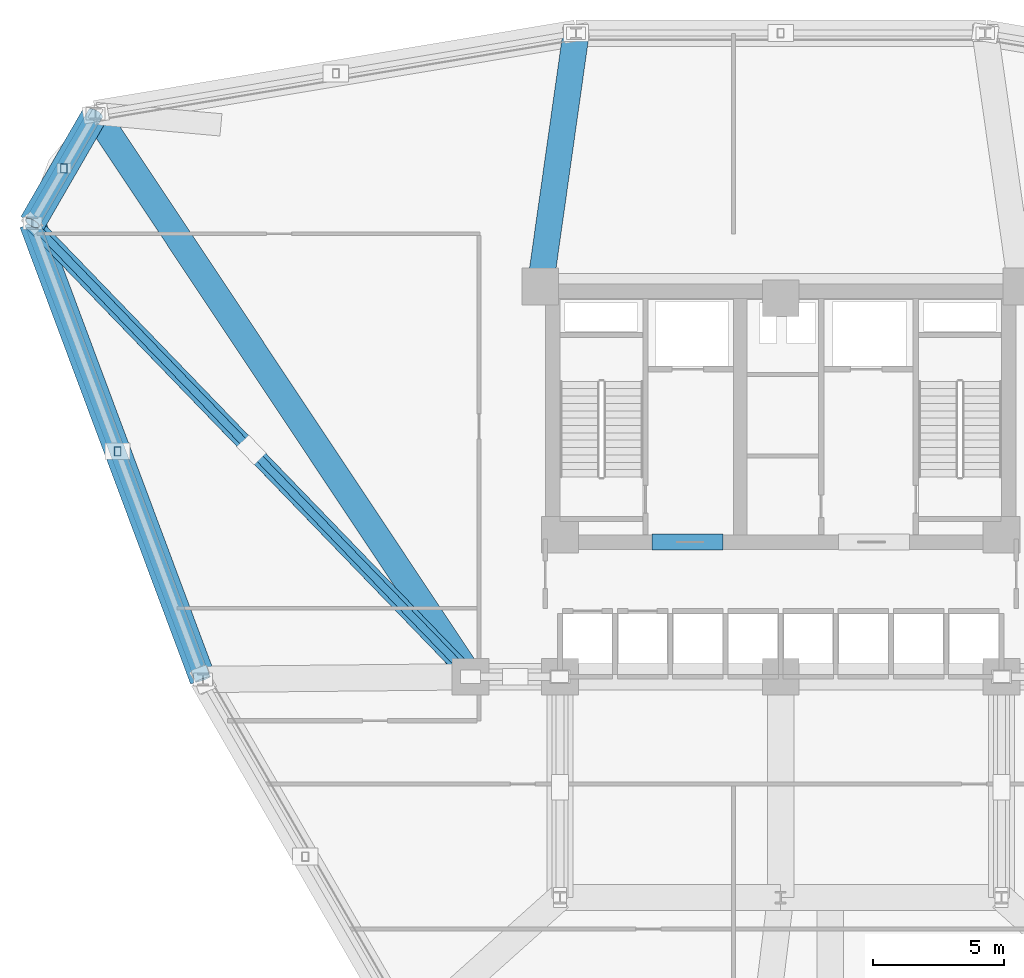
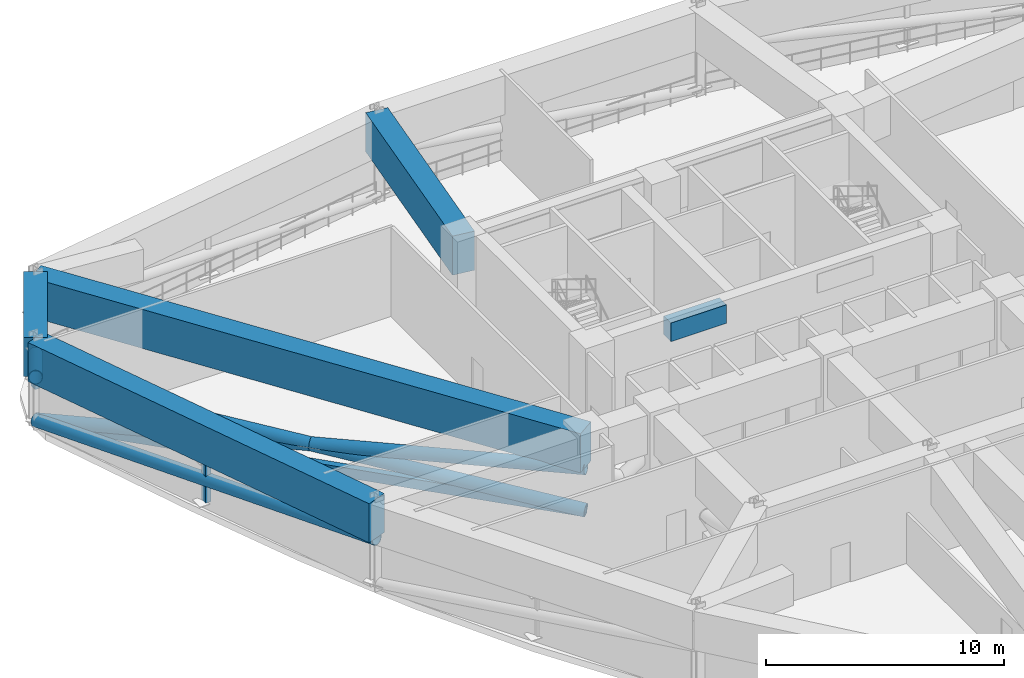
# One storey, part 4 of 12: 8 members, 5 beams.
"""IFC4 building model written with IfcOpenShell, lengths in metres."""

from ifc_helpers import new_model, si_unit, derived_unit, direction, frame, origin, origin_2d, place, context, subcontext, project, spatial, rectangle, hollow_rectangle, hollow_circle, extrude, source, transform, mapped, material, material_profile, profile_set, type_object, element, save


model = new_model("IFC4")

# Units and contexts
model_context = context("Model", 3, precision=1e-05, world=origin(), true_north=direction((0.0, 1.0)))
body_context = subcontext(model_context, "Body", "Model", "MODEL_VIEW")
ifc_project = project(units=[si_unit("LENGTHUNIT", "METRE"), si_unit("AREAUNIT", "SQUARE_METRE"), si_unit("VOLUMEUNIT", "CUBIC_METRE"), si_unit("PLANEANGLEUNIT", "RADIAN"), si_unit("MASSUNIT", "GRAM", prefix="KILO"), derived_unit("THERMALTRANSMITTANCEUNIT", [(si_unit("POWERUNIT", "WATT"), 1), (si_unit("LENGTHUNIT", "METRE"), -2), (si_unit("THERMODYNAMICTEMPERATUREUNIT", "KELVIN"), -1)])], contexts=[model_context])

# Site, building, storey
site_placement = place(None, origin())
site = spatial("IfcSite", under=ifc_project, at=site_placement, CompositionType="ELEMENT")
building_placement = place(site_placement, origin())
building = spatial("IfcBuilding", under=site, at=building_placement, Name="Korsvarv Bourse and Concert Hall", CompositionType="ELEMENT")
storey_placement = place(building_placement, frame((0.0, 0.0, 59.10009765625)))
storey = spatial("IfcBuildingStorey", under=building, at=storey_placement, Name="L14", CompositionType="ELEMENT", Elevation=59.10009765625)

# Beams
ifc_material_1 = material(Name="Concrete C55/67", Category="concrete")
ifc_material_profile_1 = material_profile(ifc_material_1, rectangle(XDim=0.60009765625, YDim=0.949951171875, at=origin_2d()), Name="RC-BM 600x950")
ifc_profile_set_1 = profile_set([ifc_material_profile_1], Name="Concrete C55/67")
beam_type_1 = type_object("IfcBeamType", Name="BM-CPL", PredefinedType="LINTEL", material=ifc_profile_set_1)
shared_shape_1 = source(origin(), body_context, "Body", "SweptSolid", [
    extrude(rectangle(XDim=0.60009765625, YDim=0.949951171875, at=origin_2d()), origin(), (0.0, 0.0, 1.0), 2.699951171875),
])
beam_1_placement = place(storey_placement, frame((31.10009765625, 37.52490234375, 4.10498046875), z_axis=(1.0, 0.0, 0.0), x_axis=(0.0, 1.0, 0.0)))
element("IfcBeam", 1, at=beam_1_placement, inside=storey, type_object=beam_type_1, Name="L14 Core Coupling Beam West", PredefinedType="LINTEL", context=body_context, shape_type="MappedRepresentation", body=[
    mapped(shared_shape_1, transform((0.0, 0.0, 0.0), scale=1.0)),
])
ifc_material_2 = material(Name="Concrete C60/75", Category="concrete")
ifc_material_profile_2 = material_profile(ifc_material_2, rectangle(XDim=1.0, YDim=2.0, at=origin_2d()), Name="RC-BM 1000x2000")
ifc_profile_set_2 = profile_set([ifc_material_profile_2], Name="Concrete C60/75")
beam_type_2 = type_object("IfcBeamType", Name="BM-TR1", PredefinedType="BEAM", material=ifc_profile_set_2)
shared_shape_2 = source(origin(), body_context, "Body", "SweptSolid", [
    extrude(rectangle(XDim=1.0, YDim=2.0, at=origin_2d()), origin(), (0.0, 0.0, 1.0), 4.810791015625),
])
beam_2_placement = place(storey_placement, frame((9.930908203125, 53.82861328125, 3.56982421875), z_axis=(-0.500019702373, -0.866014028315, 0.0), x_axis=(0.866014028315, -0.500019702373, 0.0)))
element("IfcBeam", 2, at=beam_2_placement, inside=storey, type_object=beam_type_2, Name="L14 beam B-TR1", PredefinedType="BEAM", context=body_context, shape_type="MappedRepresentation", body=[
    mapped(shared_shape_2, transform((0.0, 0.0, 0.0), scale=1.0)),
])
shared_shape_3 = source(origin(), body_context, "Body", "SweptSolid", [
    extrude(rectangle(XDim=1.0, YDim=2.0, at=origin_2d()), origin(), (0.0, 0.0, 1.0), 18.538818359375),
])
beam_3_placement = place(storey_placement, frame((7.525390625, 49.662353515625, 3.56982421875), z_axis=(0.35015342957, -0.936692359188, 0.0), x_axis=(0.936692359188, 0.35015342957, 0.0)))
element("IfcBeam", 3, at=beam_3_placement, inside=storey, type_object=beam_type_2, Name="L14 beam B-TR1", PredefinedType="BEAM", context=body_context, shape_type="MappedRepresentation", body=[
    mapped(shared_shape_3, transform((0.0, 0.0, 0.0), scale=1.0)),
])
shared_shape_4 = source(origin(), body_context, "Body", "SweptSolid", [
    extrude(rectangle(XDim=1.0, YDim=2.0, at=origin_2d()), origin(), (0.0, 0.0, 1.0), 9.735595703125),
])
beam_4_placement = place(storey_placement, frame((28.21533203125, 56.889404296875, 3.56982421875), z_axis=(-0.140231095274, -0.990118800911, 0.0), x_axis=(0.990118800911, -0.140231095274, 0.0)))
element("IfcBeam", 4, at=beam_4_placement, inside=storey, type_object=beam_type_2, Name="L14 beam B-TR1", PredefinedType="BEAM", context=body_context, shape_type="MappedRepresentation", body=[
    mapped(shared_shape_4, transform((0.0, 0.0, 0.0), scale=1.0)),
])
shared_shape_5 = source(origin(), body_context, "Body", "SweptSolid", [
    extrude(rectangle(XDim=1.0, YDim=2.0, at=origin_2d()), origin(), (0.0, 0.0, 1.0), 25.744873046875),
])
beam_5_placement = place(storey_placement, frame((9.930908203125, 53.82861328125, 3.56982421875), z_axis=(0.55424930279, -0.832350713556, 0.0), x_axis=(0.832350713556, 0.55424930279, 0.0)))
element("IfcBeam", 5, at=beam_5_placement, inside=storey, type_object=beam_type_2, Name="L14 beam B-TR1", PredefinedType="BEAM", context=body_context, shape_type="MappedRepresentation", body=[
    mapped(shared_shape_5, transform((0.0, 0.0, 0.0), scale=1.0)),
])

# Members
ifc_material_3 = material(Name="Steel S460", Category="steel")
ifc_material_profile_3 = material_profile(ifc_material_3, hollow_rectangle(XDim=0.300048828125, YDim=0.5, WallThickness=0.02001953125, at=origin_2d()), Name="RHS 500x300x20")
ifc_profile_set_3 = profile_set([ifc_material_profile_3], Name="Steel S460")
member_type_1 = type_object("IfcMemberType", Name="MEM-RHS500", PredefinedType="CHORD", material=ifc_profile_set_3)
shared_shape_6 = source(origin(), body_context, "Body", "SweptSolid", [
    extrude(hollow_rectangle(XDim=0.300048828125, YDim=0.5, WallThickness=0.02001953125, at=origin_2d()), origin(), (0.0, 0.0, 1.0), 24.000732421875),
])
member_1_placement = place(storey_placement, frame((24.199951171875, 32.39990234375, 0.349853515625), z_axis=(-0.694753340098, 0.719248077107, 0.0), x_axis=(-0.719248077107, -0.694753340098, 0.0)))
element("IfcMember", 6, at=member_1_placement, inside=storey, type_object=member_type_1, Name="L14 Outrigger Truss W2 Bottom Chord", PredefinedType="CHORD", context=body_context, shape_type="MappedRepresentation", body=[
    mapped(shared_shape_6, transform((0.0, 0.0, 0.0), scale=1.0)),
])
ifc_material_profile_4 = material_profile(ifc_material_3, hollow_circle(Radius=0.304931640625, WallThickness=0.02490234375, at=origin_2d()), Name="CHS 610x25")
ifc_profile_set_4 = profile_set([ifc_material_profile_4], Name="Steel S460")
member_type_2 = type_object("IfcMemberType", Name="MEM-CHS610", PredefinedType="BRACE", material=ifc_profile_set_4)
shared_shape_7 = source(origin(), body_context, "Body", "SweptSolid", [
    extrude(hollow_circle(Radius=0.304931640625, WallThickness=0.02490234375, at=origin_2d()), origin(), (0.0, 0.0, 1.0), 24.0986328125),
])
member_2_placement = place(storey_placement, frame((24.199951171875, 32.39990234375, 0.349853515625), z_axis=(-0.691930502417, 0.716325715376, 0.090053591355), x_axis=(-0.719248077107, -0.694753340098, 0.0)))
element("IfcMember", 7, at=member_2_placement, inside=storey, type_object=member_type_2, Name="L14 Outrigger Truss W2 Diagonal 1", PredefinedType="BRACE", context=body_context, shape_type="MappedRepresentation", body=[
    mapped(shared_shape_7, transform((0.0, 0.0, 0.0), scale=1.0)),
])
shared_shape_8 = source(origin(), body_context, "Body", "SweptSolid", [
    extrude(hollow_circle(Radius=0.304931640625, WallThickness=0.02490234375, at=origin_2d()), origin(), (0.0, 0.0, 1.0), 12.04931640625),
])
for number, where, z_axis, x_axis, name in (
    (8, (7.525390625, 49.662353515625, 0.349853515625), (0.691941435499, -0.71631641491, 0.090043564842), (0.719238084009, 0.694763685371, 0.0), "L14 Outrigger Truss W2 Split Diagonal 2A"),
    (9, (15.86279296875, 41.03125, 1.434814453125), (0.691919569149, -0.716335015599, 0.090063617818), (0.719258070051, 0.694742994687, 0.0), "L14 Outrigger Truss W2 Split Diagonal 2B"),
):
    element("IfcMember", number, at=place(storey_placement, frame(where, z_axis=z_axis, x_axis=x_axis)), inside=storey, type_object=member_type_2, Name=name, PredefinedType="BRACE", context=body_context, shape_type="MappedRepresentation", body=[
        mapped(shared_shape_8, transform((0.0, 0.0, 0.0), scale=1.0)),
    ])
shared_shape_9 = source(origin(), body_context, "Body", "SweptSolid", [
    extrude(hollow_circle(Radius=0.304931640625, WallThickness=0.02490234375, at=origin_2d()), origin(), (0.0, 0.0, 1.0), 5.277587890625),
])
member_3_placement = place(storey_placement, frame((9.930908203125, 53.82861328125, 0.349853515625), z_axis=(-0.455791134396, -0.789411926161, 0.411197340266), x_axis=(0.866014028315, -0.500019702373, 0.0)))
element("IfcMember", 10, at=member_3_placement, inside=storey, type_object=member_type_2, Name="L14 Perimeter Belt Truss Diagonal 5", PredefinedType="BRACE", context=body_context, shape_type="MappedRepresentation", body=[
    mapped(shared_shape_9, transform((0.0, 0.0, 0.0), scale=1.0)),
])
ifc_material_4 = material(Name="Steel S355", Category="steel")
ifc_material_profile_5 = material_profile(ifc_material_4, hollow_rectangle(XDim=0.25, YDim=0.35009765625, WallThickness=0.012451171875, at=origin_2d()), Name="RHS 350x250x12.5")
ifc_profile_set_5 = profile_set([ifc_material_profile_5], Name="Steel S355")
member_type_3 = type_object("IfcMemberType", Name="MEM-RHS350", PredefinedType="STRUT", material=ifc_profile_set_5)
shared_shape_10 = source(origin(), body_context, "Body", "SweptSolid", [
    extrude(hollow_rectangle(XDim=0.25, YDim=0.35009765625, WallThickness=0.012451171875, at=origin_2d()), origin(), (0.0, 0.0, 1.0), 2.170166015625),
])
for number, where, z_axis, x_axis, name in (
    (11, (8.72802734375, 51.745361328125, 0.349853515625), (0.0, 0.0, 1.0), (1.0, 0.0, 0.0), "L14 Perimeter Belt Truss Strut 5"),
    (12, (10.77099609375, 40.979736328125, 0.349853515625), (0.0, 0.0, 1.0), (1.0, 0.0, 0.0), "L14 Perimeter Belt Truss Strut 6"),
):
    element("IfcMember", number, at=place(storey_placement, frame(where, z_axis=z_axis, x_axis=x_axis)), inside=storey, type_object=member_type_3, Name=name, PredefinedType="STRUT", context=body_context, shape_type="MappedRepresentation", body=[
        mapped(shared_shape_10, transform((0.0, 0.0, 0.0), scale=1.0)),
    ])
shared_shape_11 = source(origin(), body_context, "Body", "SweptSolid", [
    extrude(hollow_circle(Radius=0.304931640625, WallThickness=0.02490234375, at=origin_2d()), origin(), (0.0, 0.0, 1.0), 18.66552734375),
])
member_4_placement = place(storey_placement, frame((7.525390625, 49.662353515625, 0.349853515625), z_axis=(0.347778715258, -0.930339781823, 0.116266313134), x_axis=(0.936692359188, 0.35015342957, 0.0)))
element("IfcMember", 13, at=member_4_placement, inside=storey, type_object=member_type_2, Name="L14 Perimeter Belt Truss Diagonal 6", PredefinedType="BRACE", context=body_context, shape_type="MappedRepresentation", body=[
    mapped(shared_shape_11, transform((0.0, 0.0, 0.0), scale=1.0)),
])

save(model, "model.ifc")
